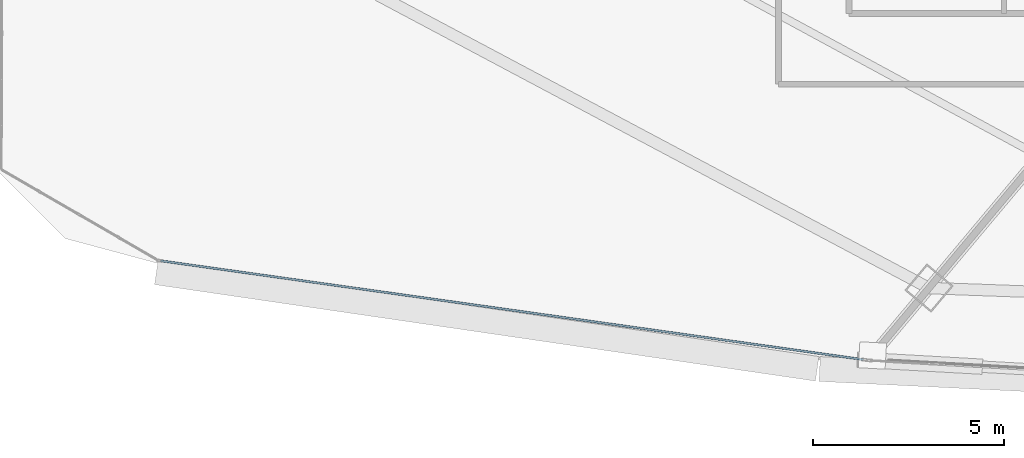
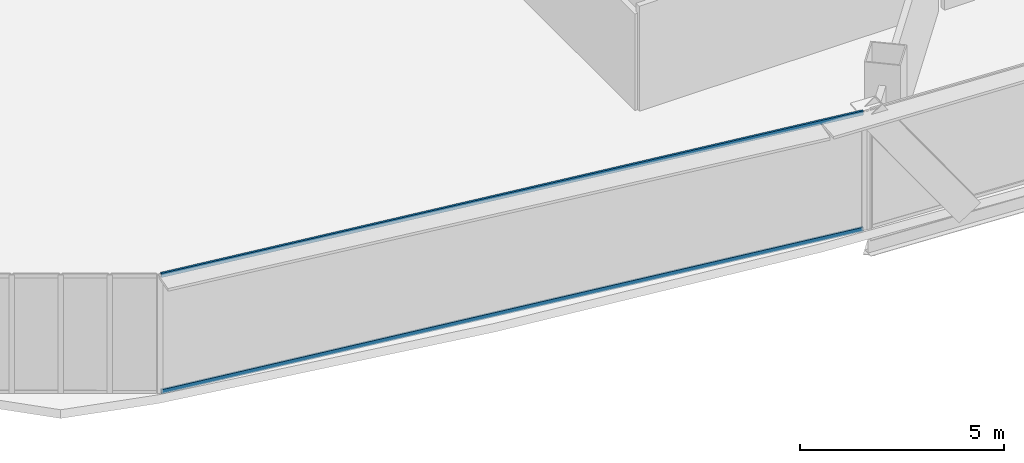
# One storey, part 3 of 40: 2 members, 1 element without a shape of its own.
"""IFC4 building model written with IfcOpenShell, lengths in metres."""

from ifc_helpers import new_model, si_unit, direction, frame, origin, origin_2d, place, context, subcontext, project, spatial, hollow_rectangle, extrude, source, transform, mapped, material, layer, layer_set, material_profile, profile_set, type_object, element, aggregate, save


model = new_model("IFC4")

# Units and contexts
model_context = context("Model", 3, precision=1e-05, world=origin(), true_north=direction((0.0, 1.0)))
body_context = subcontext(model_context, "Body", "Model", "MODEL_VIEW")
ifc_project = project(units=[si_unit("LENGTHUNIT", "METRE"), si_unit("AREAUNIT", "SQUARE_METRE"), si_unit("VOLUMEUNIT", "CUBIC_METRE"), si_unit("PLANEANGLEUNIT", "RADIAN"), si_unit("MASSUNIT", "GRAM", prefix="KILO"), si_unit("THERMODYNAMICTEMPERATUREUNIT", "KELVIN"), si_unit("POWERUNIT", "WATT")], contexts=[model_context])

# Site, building, storey
site_placement = place(None, origin())
site = spatial("IfcSite", under=ifc_project, at=site_placement, CompositionType="ELEMENT")
building_placement = place(site_placement, origin())
building = spatial("IfcBuilding", under=site, at=building_placement, Name="Yunzhuo Pagoda Commons", CompositionType="ELEMENT")
storey_placement = place(building_placement, frame((0.0, 0.0, 188.56005859375)))
storey = spatial("IfcBuildingStorey", under=building, at=storey_placement, Name="L47", CompositionType="ELEMENT", Elevation=188.56005859375)

# Curtain wall, members
ifc_material = material(Name="Anodized aluminium 6063-T6", Category="aluminium")
ifc_layer = layer(ifc_material, 0.14990234375)
ifc_layer_set = layer_set([ifc_layer], Name="Anodized aluminium 6063-T6")
curtain_wall_type = type_object("IfcCurtainWallType", Name="CW-MID Mid-Zone Ribbon Curtain Wall", PredefinedType="NOTDEFINED", material=ifc_layer_set)
curtain_wall_placement = place(storey_placement, origin())
curtain_wall = element("IfcCurtainWall", 1, at=curtain_wall_placement, inside=storey, type_object=curtain_wall_type, Name="L47 curtain wall CW-L47-F1B1", PredefinedType="NOTDEFINED")
ifc_material_profile = material_profile(ifc_material, hollow_rectangle(XDim=0.054931640625, YDim=0.1298828125, WallThickness=0.00341796875, at=origin_2d()), Name="Anodized aluminium 6063-T6")
ifc_profile_set = profile_set([ifc_material_profile], Name="Anodized aluminium 6063-T6")
member_type = type_object("IfcMemberType", Name="CW-MID-T Transom RHS 130x55x3.5", PredefinedType="USERDEFINED", material=ifc_profile_set)
shared_shape = source(origin(), body_context, "Body", "SweptSolid", [
    extrude(hollow_rectangle(XDim=0.054931640625, YDim=0.1298828125, WallThickness=0.00341796875, at=origin_2d()), origin(), (0.0, 0.0, 1.0), 18.564453125),
])
member_1_placement = place(storey_placement, frame((13.435302734375, 17.178955078125, 0.02734375), z_axis=(0.990260063852, -0.139230046827, 0.0), x_axis=(0.139230046827, 0.990260063852, 0.0)))
member_1 = element("IfcMember", 2, at=member_1_placement, type_object=member_type, Name="CW transom 1.1", ObjectType="TRANSOM", PredefinedType="USERDEFINED", context=body_context, shape_type="MappedRepresentation", body=[
    mapped(shared_shape, transform((0.0, 0.0, 0.0), scale=1.0)),
])
member_2_placement = place(storey_placement, frame((13.435302734375, 17.178955078125, 3.512451171875), z_axis=(0.990260063852, -0.139230046827, 0.0), x_axis=(0.139230046827, 0.990260063852, 0.0)))
member_2 = element("IfcMember", 3, at=member_2_placement, type_object=member_type, Name="CW transom 1.2", ObjectType="TRANSOM", PredefinedType="USERDEFINED", context=body_context, shape_type="MappedRepresentation", body=[
    mapped(shared_shape, transform((0.0, 0.0, 0.0), scale=1.0)),
])
aggregate(curtain_wall, [member_1, member_2])

save(model, "model.ifc")
